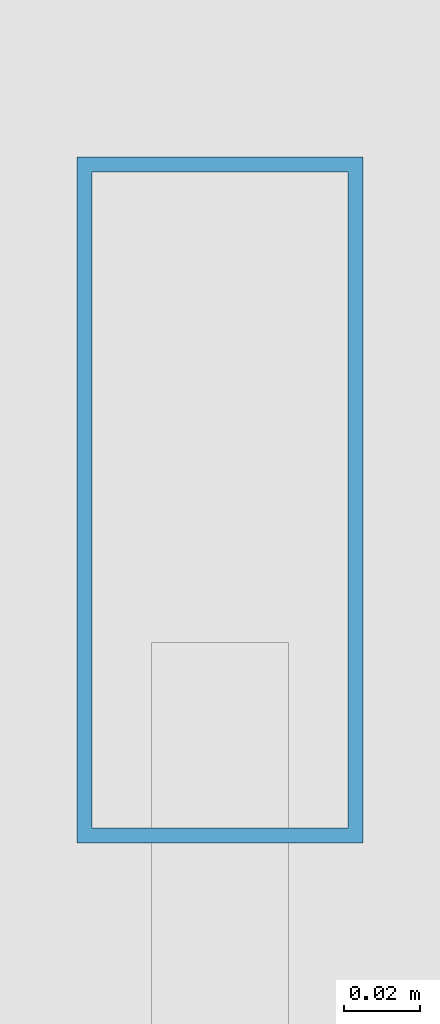
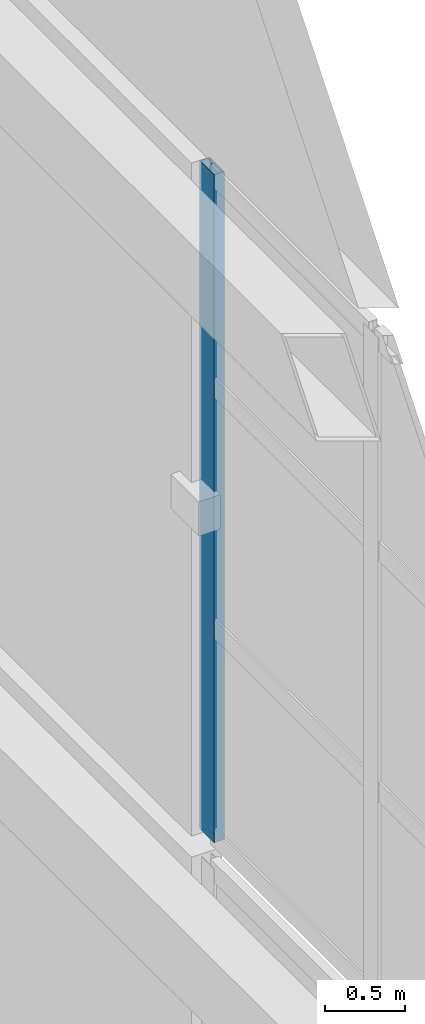
# One storey, part 42 of 47: 1 member, 1 element without a shape of its own.
"""IFC4 building model written with IfcOpenShell, lengths in metres."""

from ifc_helpers import new_model, si_unit, direction, frame, origin, origin_2d, place, context, subcontext, project, spatial, hollow_rectangle, extrude, material, layer, layer_set, material_profile, profile_set, type_object, element, aggregate, save


model = new_model("IFC4")

# Units and contexts
model_context = context("Model", 3, precision=1e-05, world=origin(), true_north=direction((0.0, 1.0)))
body_context = subcontext(model_context, "Body", "Model", "MODEL_VIEW")
ifc_project = project(units=[si_unit("LENGTHUNIT", "METRE"), si_unit("AREAUNIT", "SQUARE_METRE"), si_unit("VOLUMEUNIT", "CUBIC_METRE"), si_unit("PLANEANGLEUNIT", "RADIAN"), si_unit("MASSUNIT", "GRAM", prefix="KILO")], contexts=[model_context])

# Site, building, storey
site_placement = place(None, origin())
site = spatial("IfcSite", under=ifc_project, at=site_placement, CompositionType="ELEMENT")
building_placement = place(site_placement, origin())
building = spatial("IfcBuilding", under=site, at=building_placement, Name="Qiaolan Cultural Towers", CompositionType="ELEMENT")
storey_placement = place(building_placement, frame((0.0, 0.0, 280.199951171875)))
storey = spatial("IfcBuildingStorey", under=building, at=storey_placement, Name="RF", CompositionType="ELEMENT", Elevation=280.199951171875)

# Curtain wall, member
ifc_material_1 = material(Name="Unitized Anodized Aluminium Curtain Wall System", Category="aluminium")
ifc_layer = layer(ifc_material_1, 0.199951171875)
ifc_layer_set = layer_set([ifc_layer], Name="Unitized Anodized Aluminium Curtain Wall System")
curtain_wall_type = type_object("IfcCurtainWallType", Name="CWS-06", PredefinedType="NOTDEFINED", material=ifc_layer_set)
curtain_wall_placement = place(storey_placement, origin())
curtain_wall = element("IfcCurtainWall", 1, at=curtain_wall_placement, inside=storey, type_object=curtain_wall_type, Name="T1 Crown Tier 5 Fritted Screen Curtain Wall 3", PredefinedType="NOTDEFINED")
ifc_material_2 = material(Name="Extruded Aluminium 6063-T6", Category="aluminium")
ifc_material_profile = material_profile(ifc_material_2, hollow_rectangle(XDim=0.074951171875, YDim=0.179931640625, WallThickness=0.00390625, at=origin_2d()), Name="CWM-180x75x4")
ifc_profile_set = profile_set([ifc_material_profile], Name="Extruded Aluminium 6063-T6")
member_type = type_object("IfcMemberType", Name="CWS-06-MUL", PredefinedType="MULLION", material=ifc_profile_set)
member_placement = place(storey_placement, frame((45.050048828125, 40.232421875, 21.300048828125), z_axis=(0.0, 0.0, 1.0), x_axis=(-1.0, 0.0, 0.0)))
member = element("IfcMember", 2, at=member_placement, type_object=member_type, Name="CW-6 mullion 7", PredefinedType="MULLION", context=body_context, shape_type="SweptSolid", body=[
    extrude(hollow_rectangle(XDim=0.074951171875, YDim=0.179931640625, WallThickness=0.00390625, at=origin_2d()), origin(), (0.0, 0.0, 1.0), 5.10009765625),
])
aggregate(curtain_wall, [member])

save(model, "model.ifc")
